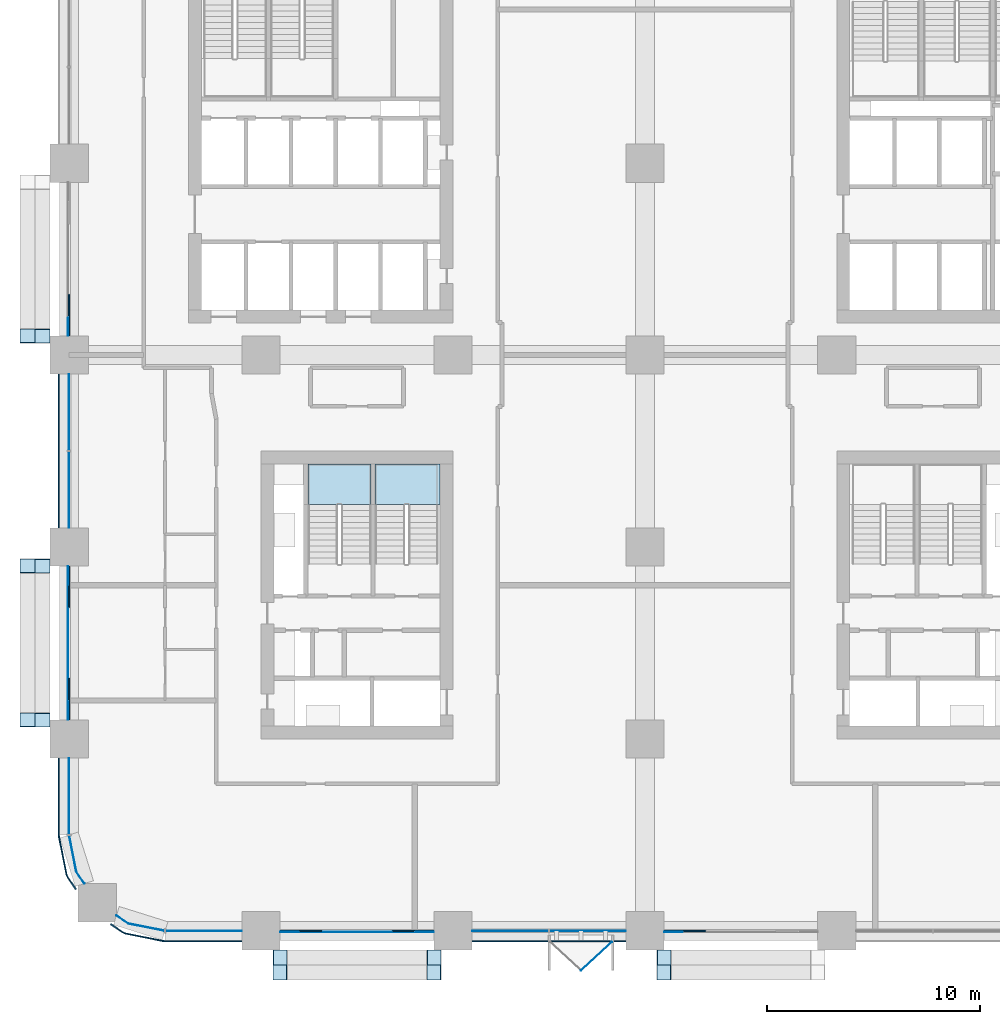
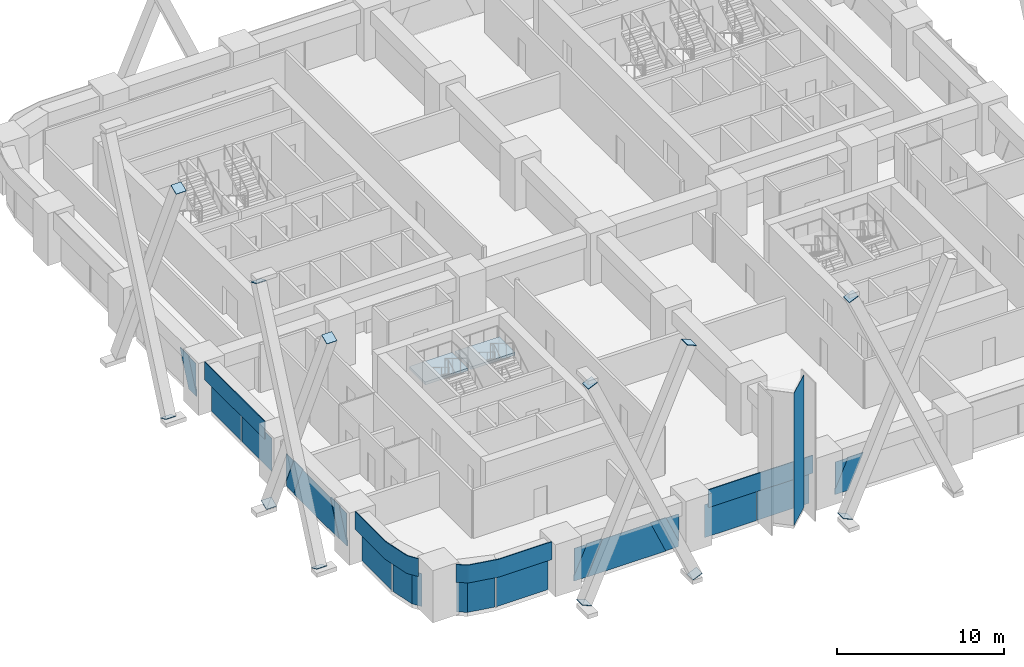
# One storey, part 11 of 24: 39 plates, 2 slabs, 10 elements without a shape of their own.
"""IFC4 building model written with IfcOpenShell, lengths in metres."""

from ifc_helpers import new_model, si_unit, direction, frame, origin, origin_2d, place, context, subcontext, project, spatial, polyline, rectangle, outline, extrude, material, layer, layer_set, type_object, element, aggregate, save


model = new_model("IFC4")

# Units and contexts
model_context = context("Model", 3, precision=1e-05, world=origin(), true_north=direction((0.0, 1.0)))
body_context = subcontext(model_context, "Body", "Model", "MODEL_VIEW")
ifc_project = project(units=[si_unit("LENGTHUNIT", "METRE"), si_unit("AREAUNIT", "SQUARE_METRE"), si_unit("VOLUMEUNIT", "CUBIC_METRE"), si_unit("PLANEANGLEUNIT", "RADIAN"), si_unit("MASSUNIT", "GRAM", prefix="KILO")], contexts=[model_context])

# Site, building, storey
site_placement = place(None, origin())
site = spatial("IfcSite", under=ifc_project, at=site_placement, CompositionType="ELEMENT")
building_placement = place(site_placement, origin())
building = spatial("IfcBuilding", under=site, at=building_placement, Name="Tessera Arch", CompositionType="ELEMENT")
storey_placement = place(building_placement, frame((0.0, 0.0, 61.39990234375)))
storey = spatial("IfcBuildingStorey", under=building, at=storey_placement, Name="L13", CompositionType="ELEMENT", Elevation=61.39990234375)

# Curtain wall, plates
ifc_material_1 = material(Name="CW1 curtain wall")
curtain_wall_type_1 = type_object("IfcCurtainWallType", Name="CW1 curtain wall", PredefinedType="NOTDEFINED", material=ifc_material_1)
curtain_wall_1_placement = place(storey_placement, origin())
curtain_wall_1 = element("IfcCurtainWall", 1, at=curtain_wall_1_placement, inside=storey, type_object=curtain_wall_type_1, Name="CW1 curtain wall S0.0/1 L13", PredefinedType="NOTDEFINED")
ifc_material_2 = material(Name="Clear low-e glass", Category="glass")
ifc_material_3 = material(Name="Clear low-e glass", Category="glass")
ifc_layer_1 = layer(ifc_material_3, 0.028076171875)
ifc_layer_set_1 = layer_set([ifc_layer_1], Name="CW1 glass panel")
plate_type_1 = type_object("IfcPlateType", Name="CW1 glass panel", PredefinedType="CURTAIN_PANEL", material=ifc_layer_set_1)
plate_1_placement = place(storey_placement, frame((20.68505859375, 0.0, 0.000244140625), z_axis=(0.0, 0.0, 1.0), x_axis=(1.0, 0.0, 0.0)))
plate_1 = element("IfcPlate", 2, at=plate_1_placement, type_object=plate_type_1, material=ifc_material_2, Name="CW1 glass panel S0.0/1 1.1.1", PredefinedType="CURTAIN_PANEL", context=body_context, shape_type="SweptSolid", body=[
    extrude(rectangle(XDim=3.570068359375, YDim=0.028076171875, at=origin_2d()), origin(), (0.0, 0.0, 1.0), 2.39990234375),
])
plate_2_placement = place(storey_placement, frame((24.31494140625, 0.0, 0.000244140625), z_axis=(0.0, 0.0, 1.0), x_axis=(1.0, 0.0, 0.0)))
plate_2 = element("IfcPlate", 3, at=plate_2_placement, type_object=plate_type_1, material=ifc_material_2, Name="CW1 glass panel S0.0/1 1.2.1", PredefinedType="CURTAIN_PANEL", context=body_context, shape_type="SweptSolid", body=[
    extrude(rectangle(XDim=3.570068359375, YDim=0.028076171875, at=origin_2d()), origin(), (0.0, 0.0, 1.0), 2.39990234375),
])

curtain_wall_2_placement = place(storey_placement, origin())
curtain_wall_2 = element("IfcCurtainWall", 4, at=curtain_wall_2_placement, inside=storey, type_object=curtain_wall_type_1, Name="CW1 curtain wall W0.0/3 L13", PredefinedType="NOTDEFINED")
plate_3_placement = place(storey_placement, frame((0.0, 24.31494140625, 0.000244140625), z_axis=(0.0, 0.0, 1.0), x_axis=(0.0, -1.0, 0.0)))
plate_3 = element("IfcPlate", 5, at=plate_3_placement, type_object=plate_type_1, material=ifc_material_2, Name="CW1 glass panel W0.0/3 1.1.1", PredefinedType="CURTAIN_PANEL", context=body_context, shape_type="SweptSolid", body=[
    extrude(rectangle(XDim=3.570068359375, YDim=0.028076171875, at=origin_2d()), origin(), (0.0, 0.0, 1.0), 2.39990234375),
])
plate_4_placement = place(storey_placement, frame((0.0, 20.68505859375, 0.000244140625), z_axis=(0.0, 0.0, 1.0), x_axis=(0.0, -1.0, 0.0)))
plate_4 = element("IfcPlate", 6, at=plate_4_placement, type_object=plate_type_1, material=ifc_material_2, Name="CW1 glass panel W0.0/3 1.2.1", PredefinedType="CURTAIN_PANEL", context=body_context, shape_type="SweptSolid", body=[
    extrude(rectangle(XDim=3.570068359375, YDim=0.028076171875, at=origin_2d()), origin(), (0.0, 0.0, 1.0), 2.39990234375),
])

# Plate
ifc_material_4 = material(Name="Pale anodised aluminium panel", Category="aluminium")
ifc_layer_2 = layer(ifc_material_4, 0.06005859375)
ifc_layer_set_2 = layer_set([ifc_layer_2], Name="CW1 spandrel panel")
plate_type_2 = type_object("IfcPlateType", Name="CW1 spandrel panel", PredefinedType="CURTAIN_PANEL", material=ifc_layer_set_2)
plate_5_placement = place(storey_placement, frame((22.5, -0.47998046875, 2.5), z_axis=(0.0, 0.0, 1.0), x_axis=(1.0, 0.0, 0.0)))
plate_5 = element("IfcPlate", 7, at=plate_5_placement, type_object=plate_type_2, Name="CW1 spandrel panel S0.0/1", PredefinedType="CURTAIN_PANEL", context=body_context, shape_type="SweptSolid", body=[
    extrude(rectangle(XDim=7.199951171875, YDim=0.06005859375, at=origin_2d()), origin(), (0.0, 0.0, 1.0), 1.300048828125),
])

aggregate(curtain_wall_1, [plate_1, plate_2, plate_5])

plate_6_placement = place(storey_placement, frame((-0.47998046875, 22.5, 2.5), z_axis=(0.0, 0.0, 1.0), x_axis=(0.0, -1.0, 0.0)))
plate_6 = element("IfcPlate", 8, at=plate_6_placement, type_object=plate_type_2, Name="CW1 spandrel panel W0.0/3", PredefinedType="CURTAIN_PANEL", context=body_context, shape_type="SweptSolid", body=[
    extrude(rectangle(XDim=7.199951171875, YDim=0.06005859375, at=origin_2d()), origin(), (0.0, 0.0, 1.0), 1.300048828125),
])

aggregate(curtain_wall_2, [plate_3, plate_4, plate_6])

# Curtain wall, plates
ifc_material_5 = material(Name="CW2 curtain wall")
curtain_wall_type_2 = type_object("IfcCurtainWallType", Name="CW2 curtain wall", PredefinedType="NOTDEFINED", material=ifc_material_5)
curtain_wall_3_placement = place(storey_placement, origin())
curtain_wall_3 = element("IfcCurtainWall", 9, at=curtain_wall_3_placement, inside=storey, type_object=curtain_wall_type_2, Name="CW2 curtain wall W0.0/5 L13", PredefinedType="NOTDEFINED")
ifc_material_6 = material(Name="Clear low-e glass", Category="glass")
ifc_layer_3 = layer(ifc_material_6, 0.028076171875)
ifc_layer_set_3 = layer_set([ifc_layer_3], Name="CW2 glass panel")
plate_type_3 = type_object("IfcPlateType", Name="CW2 glass panel", PredefinedType="CURTAIN_PANEL", material=ifc_layer_set_3)
plate_7_placement = place(storey_placement, frame((0.0, 6.320068359375, 0.000244140625), z_axis=(0.0, 0.0, 1.0), x_axis=(0.0, -1.0, 0.0)))
plate_7 = element("IfcPlate", 10, at=plate_7_placement, type_object=plate_type_3, material=ifc_material_2, Name="CW2 glass panel W0.0/5 1.1", PredefinedType="CURTAIN_PANEL", context=body_context, shape_type="SweptSolid", body=[
    extrude(rectangle(XDim=3.56005859375, YDim=0.028076171875, at=origin_2d()), origin(), (0.0, 0.0, 1.0), 2.39990234375),
])
plate_8_placement = place(storey_placement, origin())
plate_8 = element("IfcPlate", 11, at=plate_8_placement, type_object=plate_type_3, material=ifc_material_2, Name="CW2 curved glass panel W0.0/5 2.1", PredefinedType="CURTAIN_PANEL", context=body_context, shape_type="SweptSolid", body=[
    extrude(outline(polyline([(0.355712890625, 2.783447265625), (0.021484375, 4.46337890625), (-0.005859375, 4.4580078125), (0.329345703125, 2.7724609375), (0.705078125, 2.210205078125), (0.728271484375, 2.225830078125), (0.355712890625, 2.783447265625)])), origin(), (0.0, 0.0, 1.0), 2.400146484375),
])

curtain_wall_4_placement = place(storey_placement, origin())
curtain_wall_4 = element("IfcCurtainWall", 12, at=curtain_wall_4_placement, inside=storey, type_object=curtain_wall_type_2, Name="CW2 curtain wall S0.0/5 L13", PredefinedType="NOTDEFINED")
plate_9_placement = place(storey_placement, frame((6.320068359375, 0.0, 0.000244140625), z_axis=(0.0, 0.0, 1.0), x_axis=(1.0, 0.0, 0.0)))
plate_9 = element("IfcPlate", 13, at=plate_9_placement, type_object=plate_type_3, material=ifc_material_2, Name="CW2 glass panel S0.0/5 1.1", PredefinedType="CURTAIN_PANEL", context=body_context, shape_type="SweptSolid", body=[
    extrude(rectangle(XDim=3.56005859375, YDim=0.028076171875, at=origin_2d()), origin(), (0.0, 0.0, 1.0), 2.39990234375),
])
plate_10_placement = place(storey_placement, origin())
plate_10 = element("IfcPlate", 14, at=plate_10_placement, type_object=plate_type_3, material=ifc_material_2, Name="CW2 curved glass panel S0.0/5 2.1", PredefinedType="CURTAIN_PANEL", context=body_context, shape_type="SweptSolid", body=[
    extrude(outline(polyline([(2.783447265625, 0.355712890625), (2.225830078125, 0.728271484375), (2.210205078125, 0.705078125), (2.7724609375, 0.329345703125), (4.4580078125, -0.005859375), (4.46337890625, 0.021484375), (2.783447265625, 0.355712890625)])), origin(), (0.0, 0.0, 1.0), 2.400146484375),
])

# Plate
ifc_material_7 = material(Name="Pale anodised aluminium panel", Category="aluminium")
ifc_layer_4 = layer(ifc_material_7, 0.06005859375)
ifc_layer_set_4 = layer_set([ifc_layer_4], Name="CW2 spandrel panel")
plate_type_4 = type_object("IfcPlateType", Name="CW2 spandrel panel", PredefinedType="CURTAIN_PANEL", material=ifc_layer_set_4)
plate_11_placement = place(storey_placement, frame((0.0, 0.0, 2.5)))
plate_11 = element("IfcPlate", 15, at=plate_11_placement, type_object=plate_type_4, Name="CW2 spandrel panel W0.0/5", PredefinedType="CURTAIN_PANEL", context=body_context, shape_type="SweptSolid", body=[
    extrude(outline(polyline([(-0.449951171875, 4.500732421875), (-0.449951171875, 8.10009765625), (-0.510009765625, 8.10009765625), (-0.510009765625, 4.499267578125), (-0.507568359375, 4.449951171875), (-0.500244140625, 4.401123046875), (-0.157470703125, 2.677734375), (-0.1455078125, 2.6298828125), (-0.128662109375, 2.582763671875), (-0.107177734375, 2.537353515625), (-0.08203125, 2.4951171875), (0.292724609375, 1.9345703125), (0.342529296875, 1.968017578125), (-0.03125, 2.52734375), (-0.05419921875, 2.565673828125), (-0.0732421875, 2.605712890625), (-0.088134765625, 2.647216796875), (-0.09912109375, 2.69091796875), (-0.441162109375, 4.411376953125), (-0.44775390625, 4.455810546875), (-0.449951171875, 4.500732421875)])), origin(), (0.0, 0.0, 1.0), 1.300048828125),
])

aggregate(curtain_wall_3, [plate_7, plate_8, plate_11])

plate_12_placement = place(storey_placement, frame((0.0, 0.0, 2.5)))
plate_12 = element("IfcPlate", 16, at=plate_12_placement, type_object=plate_type_4, Name="CW2 spandrel panel S0.0/5", PredefinedType="CURTAIN_PANEL", context=body_context, shape_type="SweptSolid", body=[
    extrude(outline(polyline([(2.52734375, -0.03125), (1.968017578125, 0.342529296875), (1.9345703125, 0.292724609375), (2.4951171875, -0.08203125), (2.537353515625, -0.107177734375), (2.582763671875, -0.128662109375), (2.6298828125, -0.1455078125), (2.677734375, -0.157470703125), (4.401123046875, -0.500244140625), (4.449951171875, -0.507568359375), (4.499267578125, -0.510009765625), (8.10009765625, -0.510009765625), (8.10009765625, -0.449951171875), (4.500732421875, -0.449951171875), (4.455810546875, -0.44775390625), (4.411376953125, -0.441162109375), (2.69091796875, -0.09912109375), (2.647216796875, -0.088134765625), (2.605712890625, -0.0732421875), (2.565673828125, -0.05419921875), (2.52734375, -0.03125)])), origin(), (0.0, 0.0, 1.0), 1.300048828125),
])

aggregate(curtain_wall_4, [plate_9, plate_10, plate_12])

# Curtain wall, plates
ifc_material_8 = material(Name="CW3 curtain wall")
curtain_wall_type_3 = type_object("IfcCurtainWallType", Name="CW3 curtain wall", PredefinedType="NOTDEFINED", material=ifc_material_8)
curtain_wall_5_placement = place(storey_placement, origin())
curtain_wall_5 = element("IfcCurtainWall", 17, at=curtain_wall_5_placement, inside=storey, type_object=curtain_wall_type_3, Name="CW3 curtain wall S0.0/0 L13", PredefinedType="NOTDEFINED")
ifc_material_9 = material(Name="Pale anodised aluminium panel", Category="aluminium")
ifc_layer_5 = layer(ifc_material_9, 0.06005859375)
ifc_layer_set_5 = layer_set([ifc_layer_5], Name="CW3 diagonal panel")
plate_type_5 = type_object("IfcPlateType", Name="CW3 diagonal panel", PredefinedType="CURTAIN_PANEL", material=ifc_layer_set_5)
plate_13_placement = place(storey_placement, frame((17.10009765625, -0.030029296875, 0.0), z_axis=(0.0, -1.0, 0.0), x_axis=(0.0, 0.0, 1.0)))
plate_13 = element("IfcPlate", 18, at=plate_13_placement, type_object=plate_type_5, Name="CW3 diagonal panel S0.0/0 1", PredefinedType="CURTAIN_PANEL", context=body_context, shape_type="SweptSolid", body=[
    extrude(outline(polyline([(0.0, 0.0), (0.4365234375, 0.0), (2.400146484375, 0.8623046875), (2.400146484375, 1.94775390625), (0.0, 0.89404296875), (0.0, 0.0)])), origin(), (0.0, 0.0, -1.0), 0.06005859375),
])
plate_14_placement = place(storey_placement, frame((11.84765625, -0.030029296875, 2.400146484375), z_axis=(0.0, -1.0, 0.0), x_axis=(-1.0, 0.0, 0.0)))
plate_14 = element("IfcPlate", 19, at=plate_14_placement, type_object=plate_type_5, Name="CW3 diagonal panel S0.0/0 2", PredefinedType="CURTAIN_PANEL", context=body_context, shape_type="SweptSolid", body=[
    extrude(outline(polyline([(0.0, 0.0), (1.08544921875, 0.0), (1.94775390625, 1.963623046875), (1.94775390625, 2.400146484375), (1.0537109375, 2.400146484375), (0.0, 0.0)])), origin(), (0.0, 0.0, -1.0), 0.06005859375),
])

# Curtain wall, plate
curtain_wall_6_placement = place(storey_placement, origin())
curtain_wall_6 = element("IfcCurtainWall", 20, at=curtain_wall_6_placement, inside=storey, type_object=curtain_wall_type_3, Name="CW3 curtain wall S0.0/2 L13", PredefinedType="NOTDEFINED")
plate_15_placement = place(storey_placement, frame((29.84765625, -0.030029296875, 2.400146484375), z_axis=(0.0, -1.0, 0.0), x_axis=(-1.0, 0.0, 0.0)))
plate_15 = element("IfcPlate", 21, at=plate_15_placement, type_object=plate_type_5, Name="CW3 diagonal panel S0.0/2 2", PredefinedType="CURTAIN_PANEL", context=body_context, shape_type="SweptSolid", body=[
    extrude(outline(polyline([(0.0, 0.0), (1.08544921875, 0.0), (1.94775390625, 1.963623046875), (1.94775390625, 2.400146484375), (1.0537109375, 2.400146484375), (0.0, 0.0)])), origin(), (0.0, 0.0, -1.0), 0.06005859375),
])

curtain_wall_7_placement = place(storey_placement, origin())
curtain_wall_7 = element("IfcCurtainWall", 22, at=curtain_wall_7_placement, inside=storey, type_object=curtain_wall_type_3, Name="CW3 curtain wall W0.0/2 L13", PredefinedType="NOTDEFINED")
plate_16_placement = place(storey_placement, frame((-0.030029296875, 27.89990234375, 0.0), z_axis=(-1.0, 0.0, 0.0), x_axis=(0.0, 0.0, 1.0)))
plate_16 = element("IfcPlate", 23, at=plate_16_placement, type_object=plate_type_5, Name="CW3 diagonal panel W0.0/2 1", PredefinedType="CURTAIN_PANEL", context=body_context, shape_type="SweptSolid", body=[
    extrude(outline(polyline([(0.0, 0.0), (0.4365234375, 0.0), (2.400146484375, 0.8623046875), (2.400146484375, 1.94775390625), (0.0, 0.89404296875), (0.0, 0.0)])), origin(), (0.0, 0.0, -1.0), 0.06005859375),
])

# Curtain wall, plates
curtain_wall_8_placement = place(storey_placement, origin())
curtain_wall_8 = element("IfcCurtainWall", 24, at=curtain_wall_8_placement, inside=storey, type_object=curtain_wall_type_3, Name="CW3 curtain wall W0.0/4 L13", PredefinedType="NOTDEFINED")
plate_17_placement = place(storey_placement, frame((-0.030029296875, 9.89990234375, 0.0), z_axis=(-1.0, 0.0, 0.0), x_axis=(0.0, 0.0, 1.0)))
plate_17 = element("IfcPlate", 25, at=plate_17_placement, type_object=plate_type_5, Name="CW3 diagonal panel W0.0/4 1", PredefinedType="CURTAIN_PANEL", context=body_context, shape_type="SweptSolid", body=[
    extrude(outline(polyline([(0.0, 0.0), (0.4365234375, 0.0), (2.400146484375, 0.8623046875), (2.400146484375, 1.94775390625), (0.0, 0.89404296875), (0.0, 0.0)])), origin(), (0.0, 0.0, -1.0), 0.06005859375),
])
plate_18_placement = place(storey_placement, frame((-0.030029296875, 15.15234375, 2.400146484375), z_axis=(-1.0, 0.0, 0.0), x_axis=(0.0, 1.0, 0.0)))
plate_18 = element("IfcPlate", 26, at=plate_18_placement, type_object=plate_type_5, Name="CW3 diagonal panel W0.0/4 2", PredefinedType="CURTAIN_PANEL", context=body_context, shape_type="SweptSolid", body=[
    extrude(outline(polyline([(0.0, 0.0), (1.08544921875, 0.0), (1.94775390625, 1.963623046875), (1.94775390625, 2.400146484375), (1.0537109375, 2.400146484375), (0.0, 0.0)])), origin(), (0.0, 0.0, -1.0), 0.06005859375),
])

# Plate
ifc_material_10 = material(Name="Clear low-e glass", Category="glass")
ifc_layer_6 = layer(ifc_material_10, 0.028076171875)
ifc_layer_set_6 = layer_set([ifc_layer_6], Name="CW3 glass panel")
plate_type_6 = type_object("IfcPlateType", Name="CW3 glass panel", PredefinedType="CURTAIN_PANEL", material=ifc_layer_set_6)
plate_19_placement = place(storey_placement, frame((9.89990234375, -0.05810546875, 2.400146484375), z_axis=(0.0, -1.0, 0.0), x_axis=(0.0, 0.0, -1.0)))
plate_19 = element("IfcPlate", 27, at=plate_19_placement, type_object=plate_type_6, material=ifc_material_2, Name="CW3 triangulated glass panel S0.0/0 1", PredefinedType="CURTAIN_PANEL", context=body_context, shape_type="SweptSolid", body=[
    extrude(outline(polyline([(0.0, 0.0), (1.963623046875, 0.0), (0.0, 0.8623046875), (0.0, 0.0)])), origin(), (0.0, 0.0, -1.0), 0.028076171875),
])

plate_20_placement = place(storey_placement, frame((15.15234375, -0.05810546875, 2.400146484375), z_axis=(0.0, -1.0, 0.0), x_axis=(-1.0, 0.0, 0.0)))
plate_20 = element("IfcPlate", 28, at=plate_20_placement, type_object=plate_type_6, material=ifc_material_2, Name="CW3 triangulated glass panel S0.0/0 2", PredefinedType="CURTAIN_PANEL", context=body_context, shape_type="SweptSolid", body=[
    extrude(outline(polyline([(0.0, 0.0), (3.3046875, 0.0), (4.3583984375, 2.400146484375), (-1.0537109375, 2.400146484375), (0.0, 0.0)])), origin(), (0.0, 0.0, -1.0), 0.028076171875),
])

plate_21_placement = place(storey_placement, frame((17.10009765625, -0.05810546875, 2.400146484375), z_axis=(0.0, -1.0, 0.0), x_axis=(-1.0, 0.0, 0.0)))
plate_21 = element("IfcPlate", 29, at=plate_21_placement, type_object=plate_type_6, material=ifc_material_2, Name="CW3 triangulated glass panel S0.0/0 3", PredefinedType="CURTAIN_PANEL", context=body_context, shape_type="SweptSolid", body=[
    extrude(outline(polyline([(0.0, 0.0), (0.8623046875, 0.0), (0.0, 1.963623046875), (0.0, 0.0)])), origin(), (0.0, 0.0, -1.0), 0.028076171875),
])

aggregate(curtain_wall_5, [plate_19, plate_20, plate_21, plate_13, plate_14])

plate_22_placement = place(storey_placement, frame((27.89990234375, -0.05810546875, 2.400146484375), z_axis=(0.0, -1.0, 0.0), x_axis=(0.0, 0.0, -1.0)))
plate_22 = element("IfcPlate", 30, at=plate_22_placement, type_object=plate_type_6, material=ifc_material_2, Name="CW3 triangulated glass panel S0.0/2 1", PredefinedType="CURTAIN_PANEL", context=body_context, shape_type="SweptSolid", body=[
    extrude(outline(polyline([(0.0, 0.0), (1.963623046875, 0.0), (0.0, 0.8623046875), (0.0, 0.0)])), origin(), (0.0, 0.0, -1.0), 0.028076171875),
])

aggregate(curtain_wall_6, [plate_22, plate_15])

plate_23_placement = place(storey_placement, frame((-0.05810546875, 27.89990234375, 2.400146484375), z_axis=(-1.0, 0.0, 0.0), x_axis=(0.0, 1.0, 0.0)))
plate_23 = element("IfcPlate", 31, at=plate_23_placement, type_object=plate_type_6, material=ifc_material_2, Name="CW3 triangulated glass panel W0.0/2 3", PredefinedType="CURTAIN_PANEL", context=body_context, shape_type="SweptSolid", body=[
    extrude(outline(polyline([(0.0, 0.0), (0.8623046875, 0.0), (0.0, 1.963623046875), (0.0, 0.0)])), origin(), (0.0, 0.0, -1.0), 0.028076171875),
])

aggregate(curtain_wall_7, [plate_23, plate_16])

plate_24_placement = place(storey_placement, frame((-0.05810546875, 17.10009765625, 2.400146484375), z_axis=(-1.0, 0.0, 0.0), x_axis=(0.0, 0.0, -1.0)))
plate_24 = element("IfcPlate", 32, at=plate_24_placement, type_object=plate_type_6, material=ifc_material_2, Name="CW3 triangulated glass panel W0.0/4 1", PredefinedType="CURTAIN_PANEL", context=body_context, shape_type="SweptSolid", body=[
    extrude(outline(polyline([(0.0, 0.0), (1.963623046875, 0.0), (0.0, 0.8623046875), (0.0, 0.0)])), origin(), (0.0, 0.0, -1.0), 0.028076171875),
])

plate_25_placement = place(storey_placement, frame((-0.05810546875, 11.84765625, 2.400146484375), z_axis=(-1.0, 0.0, 0.0), x_axis=(0.0, 1.0, 0.0)))
plate_25 = element("IfcPlate", 33, at=plate_25_placement, type_object=plate_type_6, material=ifc_material_2, Name="CW3 triangulated glass panel W0.0/4 2", PredefinedType="CURTAIN_PANEL", context=body_context, shape_type="SweptSolid", body=[
    extrude(outline(polyline([(0.0, 0.0), (3.3046875, 0.0), (4.3583984375, 2.400146484375), (-1.0537109375, 2.400146484375), (0.0, 0.0)])), origin(), (0.0, 0.0, -1.0), 0.028076171875),
])

plate_26_placement = place(storey_placement, frame((-0.05810546875, 9.89990234375, 2.400146484375), z_axis=(-1.0, 0.0, 0.0), x_axis=(0.0, 1.0, 0.0)))
plate_26 = element("IfcPlate", 34, at=plate_26_placement, type_object=plate_type_6, material=ifc_material_2, Name="CW3 triangulated glass panel W0.0/4 3", PredefinedType="CURTAIN_PANEL", context=body_context, shape_type="SweptSolid", body=[
    extrude(outline(polyline([(0.0, 0.0), (0.8623046875, 0.0), (0.0, 1.963623046875), (0.0, 0.0)])), origin(), (0.0, 0.0, -1.0), 0.028076171875),
])

aggregate(curtain_wall_8, [plate_24, plate_25, plate_26, plate_17, plate_18])

# Plates
ifc_material_11 = material(Name="Steel A572 Gr50", Category="steel")
ifc_layer_7 = layer(ifc_material_11, 0.0400390625)
ifc_layer_set_7 = layer_set([ifc_layer_7], Name="End plate BOX 700x700x50")
plate_type_7 = type_object("IfcPlateType", Name="End plate BOX 700x700x50", PredefinedType="SHEET", material=ifc_layer_set_7)
for number, where, z_axis, x_axis, name in (
    (35, (9.884033203125, -1.25, -0.83642578125), (0.397607437634, 0.0, 0.91755562531), (0.0, 1.0, 0.0), "End plate BOX 700x700x50 S0.0-0 A1 L13"),
    (36, (17.10009765625, -1.25, 15.60009765625), (0.397607437634, 0.0, 0.91755562531), (0.0, 1.0, 0.0), "End plate BOX 700x700x50 S0.0-0 A2 L13"),
    (37, (17.115966796875, -1.949951171875, -0.83642578125), (-0.397607437634, 0.0, 0.91755562531), (0.0, -1.0, 0.0), "End plate BOX 700x700x50 S0.0-0 B1 L13"),
    (38, (9.89990234375, -1.949951171875, 15.60009765625), (-0.397607437634, 0.0, 0.91755562531), (0.0, -1.0, 0.0), "End plate BOX 700x700x50 S0.0-0 B2 L13"),
    (39, (27.884033203125, -1.25, -0.83642578125), (0.397607437634, 0.0, 0.91755562531), (0.0, 1.0, 0.0), "End plate BOX 700x700x50 S0.0-2 A1 L13"),
    (40, (27.89990234375, -1.949951171875, 15.60009765625), (-0.397607437634, 0.0, 0.91755562531), (0.0, -1.0, 0.0), "End plate BOX 700x700x50 S0.0-2 B2 L13"),
    (41, (-1.25, 27.89990234375, 15.60009765625), (0.0, -0.397607437634, 0.91755562531), (1.0, 0.0, 0.0), "End plate BOX 700x700x50 W0.0-2 A2 L13"),
    (42, (-1.949951171875, 27.884033203125, -0.83642578125), (0.0, 0.397607437634, 0.91755562531), (-1.0, 0.0, 0.0), "End plate BOX 700x700x50 W0.0-2 B1 L13"),
    (43, (-1.25, 17.115966796875, -0.83642578125), (0.0, -0.397607437634, 0.91755562531), (1.0, 0.0, 0.0), "End plate BOX 700x700x50 W0.0-4 A1 L13"),
    (44, (-1.25, 9.89990234375, 15.60009765625), (0.0, -0.397607437634, 0.91755562531), (1.0, 0.0, 0.0), "End plate BOX 700x700x50 W0.0-4 A2 L13"),
    (45, (-1.949951171875, 9.884033203125, -0.83642578125), (0.0, 0.397607437634, 0.91755562531), (-1.0, 0.0, 0.0), "End plate BOX 700x700x50 W0.0-4 B1 L13"),
    (46, (-1.949951171875, 17.10009765625, 15.60009765625), (0.0, 0.397607437634, 0.91755562531), (-1.0, 0.0, 0.0), "End plate BOX 700x700x50 W0.0-4 B2 L13"),
):
    element("IfcPlate", number, at=place(storey_placement, frame(where, z_axis=z_axis, x_axis=x_axis)), inside=storey, type_object=plate_type_7, Name=name, PredefinedType="SHEET", context=body_context, shape_type="SweptSolid", body=[
        extrude(rectangle(XDim=0.699951171875, YDim=0.699951171875, at=origin_2d()), origin(), (0.0, 0.0, 1.0), 0.039794921875),
    ])

# Stair, slab
ifc_material_12 = material(Name="Concrete C40/50", Category="concrete")
stair_type = type_object("IfcStairType", Name="Dogleg stair 1400", PredefinedType="HALF_TURN_STAIR", material=ifc_material_12)
stair_1_placement = place(storey_placement, origin())
stair_1 = element("IfcStair", 47, at=stair_1_placement, inside=storey, type_object=stair_type, Name="L13 S4a", PredefinedType="HALF_TURN_STAIR")
ifc_material_13 = material(Name="Concrete C40/50", Category="concrete")
ifc_layer_8 = layer(ifc_material_13, 0.300048828125)
ifc_layer_set_8 = layer_set([ifc_layer_8], Name="Stair landing 300")
slab_type = type_object("IfcSlabType", Name="Stair landing 300", PredefinedType="LANDING", material=ifc_layer_set_8)
slab_1_placement = place(storey_placement, frame((0.0, 0.0, 1.7001953125)))
slab_1 = element("IfcSlab", 48, at=slab_1_placement, type_object=slab_type, Name="S4a landing 1", PredefinedType="LANDING", context=body_context, shape_type="SweptSolid", body=[
    extrude(outline(polyline([(17.39990234375, 20.0), (17.39990234375, 21.89990234375), (14.35009765625, 21.89990234375), (14.35009765625, 20.0), (17.39990234375, 20.0)])), origin(), (0.0, 0.0, 1.0), 0.199951171875),
])
aggregate(stair_1, [slab_1])

stair_2_placement = place(storey_placement, origin())
stair_2 = element("IfcStair", 49, at=stair_2_placement, inside=storey, type_object=stair_type, Name="L13 S4b", PredefinedType="HALF_TURN_STAIR")
slab_2_placement = place(storey_placement, frame((0.0, 0.0, 1.7001953125)))
slab_2 = element("IfcSlab", 50, at=slab_2_placement, type_object=slab_type, Name="S4b landing 1", PredefinedType="LANDING", context=body_context, shape_type="SweptSolid", body=[
    extrude(outline(polyline([(14.14990234375, 20.0), (14.14990234375, 21.89990234375), (11.199951171875, 21.89990234375), (11.199951171875, 20.0), (14.14990234375, 20.0)])), origin(), (0.0, 0.0, 1.0), 0.199951171875),
])
aggregate(stair_2, [slab_2])

# Plate
ifc_material_14 = material(Name="Clear low-e glass", Category="glass")
ifc_layer_9 = layer(ifc_material_14, 0.028076171875)
ifc_layer_set_9 = layer_set([ifc_layer_9], Name="Window box glass facet")
plate_type_8 = type_object("IfcPlateType", Name="Window box glass facet", PredefinedType="SHEET", material=ifc_layer_set_9)
plate_27_placement = place(storey_placement, frame((24.72509765625, -1.179931640625, 0.22021484375), z_axis=(0.0, 0.0, 1.0), x_axis=(-0.734414958885, -0.678700720617, 0.0)))
element("IfcPlate", 51, at=plate_27_placement, inside=storey, type_object=plate_type_8, Name="Window box S0.0/1.1 1x3 glass", PredefinedType="SHEET", context=body_context, shape_type="SweptSolid", body=[
    extrude(rectangle(XDim=1.974365234375, YDim=0.028076171875, at=origin_2d()), origin(), (0.0, 0.0, 1.0), 9.659912109375),
])

save(model, "model.ifc")
